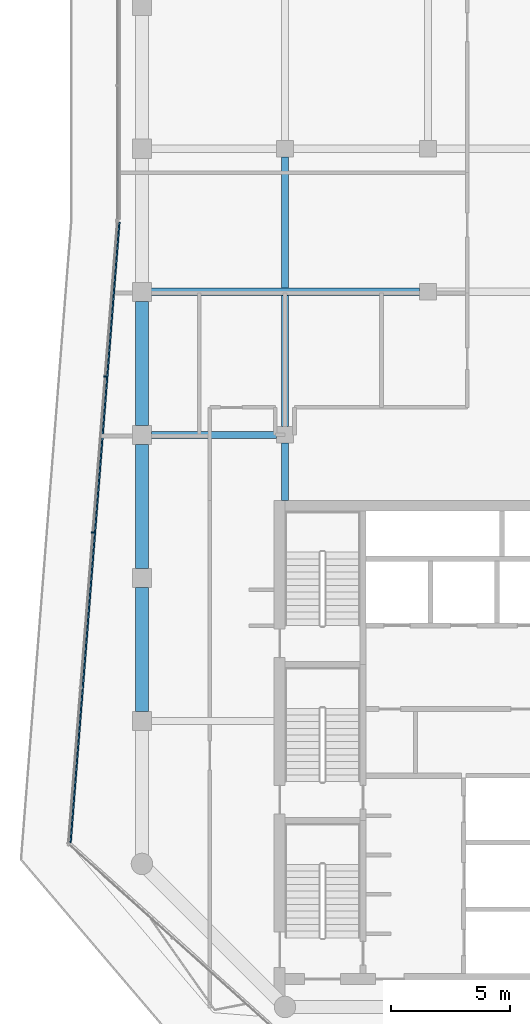
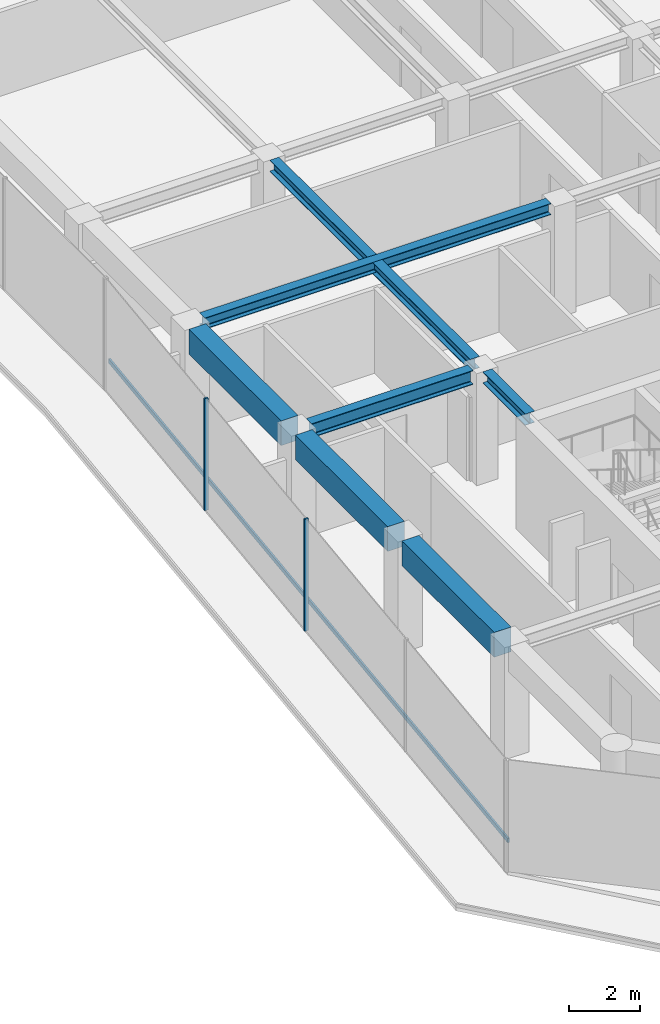
# One storey, part 4 of 23: 7 beams, 3 members, 1 element without a shape of its own.
"""IFC4 building model written with IfcOpenShell, lengths in metres."""

from ifc_helpers import new_model, si_unit, direction, frame, origin, origin_2d, place, context, subcontext, project, spatial, rectangle, i_section, extrude, material, layer, layer_set, material_profile, profile_set, type_object, element, aggregate, save


model = new_model("IFC4")

# Units and contexts
model_context = context("Model", 3, precision=1e-05, world=origin(), true_north=direction((0.0, 1.0)))
body_context = subcontext(model_context, "Body", "Model", "MODEL_VIEW")
ifc_project = project(units=[si_unit("LENGTHUNIT", "METRE"), si_unit("AREAUNIT", "SQUARE_METRE"), si_unit("VOLUMEUNIT", "CUBIC_METRE"), si_unit("PLANEANGLEUNIT", "RADIAN"), si_unit("MASSUNIT", "GRAM", prefix="KILO")], contexts=[model_context])

# Site, building, storey
site_placement = place(None, origin())
site = spatial("IfcSite", under=ifc_project, at=site_placement, CompositionType="ELEMENT")
building_placement = place(site_placement, origin())
building = spatial("IfcBuilding", under=site, at=building_placement, Name="Welwitschia Terrace Campus", CompositionType="ELEMENT")
storey_placement = place(building_placement, frame((0.0, 0.0, 247.39990234375)))
storey = spatial("IfcBuildingStorey", under=building, at=storey_placement, Name="L55", CompositionType="ELEMENT", Elevation=247.39990234375)

# Beams
ifc_material_1 = material(Name="Steel S355", Category="steel")
ifc_material_profile_1 = material_profile(ifc_material_1, i_section(OverallWidth=0.300048828125, OverallDepth=0.389892578125, WebThickness=0.010986328125, FlangeThickness=0.01904296875, FilletRadius=0.027099609375, at=origin_2d()))
ifc_profile_set_1 = profile_set([ifc_material_profile_1], Name="Steel S355")
beam_type_1 = type_object("IfcBeamType", Name="Interior girder HE 400 A", PredefinedType="BEAM", material=ifc_profile_set_1)
beam_1_placement = place(storey_placement, frame((0.390380859375, 34.0, 3.655029296875), z_axis=(1.0, 0.0, 0.0), x_axis=(0.0, 1.0, 0.0)))
element("IfcBeam", 1, at=beam_1_placement, inside=storey, type_object=beam_type_1, Name="Girder GB5", PredefinedType="BEAM", context=body_context, shape_type="SweptSolid", body=[
    extrude(i_section(OverallWidth=0.300048828125, OverallDepth=0.389892578125, WebThickness=0.010986328125, FlangeThickness=0.01904296875, FilletRadius=0.027099609375, at=origin_2d()), origin(), (0.0, 0.0, 1.0), 11.259033203125),
])
beam_2_placement = place(storey_placement, frame((6.0, 25.2509765625, 3.655029296875), z_axis=(0.0, 1.0, 0.0), x_axis=(-1.0, 0.0, 0.0)))
element("IfcBeam", 2, at=beam_2_placement, inside=storey, type_object=beam_type_1, Name="Girder GB5", PredefinedType="BEAM", context=body_context, shape_type="SweptSolid", body=[
    extrude(i_section(OverallWidth=0.300048828125, OverallDepth=0.389892578125, WebThickness=0.010986328125, FlangeThickness=0.01904296875, FilletRadius=0.027099609375, at=origin_2d()), origin(), (0.0, 0.0, 1.0), 2.3984375),
])
beam_3_placement = place(storey_placement, frame((6.0, 28.3505859375, 3.655029296875), z_axis=(0.0, 1.0, 0.0), x_axis=(-1.0, 0.0, 0.0)))
element("IfcBeam", 3, at=beam_3_placement, inside=storey, type_object=beam_type_1, Name="Girder GB5", PredefinedType="BEAM", context=body_context, shape_type="SweptSolid", body=[
    extrude(i_section(OverallWidth=0.300048828125, OverallDepth=0.389892578125, WebThickness=0.010986328125, FlangeThickness=0.01904296875, FilletRadius=0.027099609375, at=origin_2d()), origin(), (0.0, 0.0, 1.0), 11.298828125),
])

# Curtain wall, members
ifc_material_2 = material(Name="Bronze anodised aluminium", Category="aluminium")
ifc_layer = layer(ifc_material_2, 0.1201171875)
ifc_layer_set = layer_set([ifc_layer], Name="Bronze anodised aluminium")
curtain_wall_type = type_object("IfcCurtainWallType", Name="Curtain wall CW2 tower 6000", PredefinedType="NOTDEFINED", material=ifc_layer_set)
curtain_wall_placement = place(storey_placement, origin())
curtain_wall = element("IfcCurtainWall", 4, at=curtain_wall_placement, inside=storey, type_object=curtain_wall_type, Name="CW L55.1.0", PredefinedType="NOTDEFINED")
ifc_material_3 = material(Name="Bronze anodised aluminium", Category="aluminium")
ifc_material_profile_2 = material_profile(ifc_material_3, rectangle(XDim=0.1201171875, YDim=0.06005859375, at=origin_2d()))
ifc_profile_set_2 = profile_set([ifc_material_profile_2], Name="Bronze anodised aluminium")
member_type_1 = type_object("IfcMemberType", Name="Mullion 60x120", PredefinedType="MULLION", material=ifc_profile_set_2)
member_1_placement = place(storey_placement, frame((-1.54443359375, 30.44140625, 0.0), z_axis=(0.0, 0.0, 1.0), x_axis=(0.996917333733, -0.078459095728, 0.0)))
member_1 = element("IfcMember", 5, at=member_1_placement, type_object=member_type_1, Name="Mullion L55.1.0.1", PredefinedType="MULLION", context=body_context, shape_type="SweptSolid", body=[
    extrude(rectangle(XDim=0.1201171875, YDim=0.06005859375, at=origin_2d()), origin(), (0.0, 0.0, 1.0), 3.85009765625),
])
member_2_placement = place(storey_placement, frame((-2.058837890625, 23.9052734375, 0.0), z_axis=(0.0, 0.0, 1.0), x_axis=(0.996917333733, -0.078459095728, 0.0)))
member_2 = element("IfcMember", 6, at=member_2_placement, type_object=member_type_1, Name="Mullion L55.1.0.2", PredefinedType="MULLION", context=body_context, shape_type="SweptSolid", body=[
    extrude(rectangle(XDim=0.1201171875, YDim=0.06005859375, at=origin_2d()), origin(), (0.0, 0.0, 1.0), 3.85009765625),
])

# Beams
ifc_material_4 = material(Name="Steel S355", Category="steel")
ifc_material_profile_3 = material_profile(ifc_material_4, i_section(OverallWidth=0.300048828125, OverallDepth=0.489990234375, WebThickness=0.011962890625, FlangeThickness=0.02294921875, FilletRadius=0.027099609375, at=origin_2d()))
ifc_profile_set_3 = profile_set([ifc_material_profile_3], Name="Steel S355")
beam_type_2 = type_object("IfcBeamType", Name="Primary beam HE 500 A", PredefinedType="BEAM", material=ifc_profile_set_3)
beam_4_placement = place(storey_placement, frame((0.400390625, 28.0, 3.60498046875), z_axis=(1.0, 0.0, 0.0), x_axis=(0.0, 1.0, 0.0)))
element("IfcBeam", 7, at=beam_4_placement, inside=storey, type_object=beam_type_2, Name="Primary beam PB5", PredefinedType="BEAM", context=body_context, shape_type="SweptSolid", body=[
    extrude(i_section(OverallWidth=0.300048828125, OverallDepth=0.489990234375, WebThickness=0.011962890625, FlangeThickness=0.02294921875, FilletRadius=0.027099609375, at=origin_2d()), origin(), (0.0, 0.0, 1.0), 5.2490234375),
])
ifc_material_5 = material(Name="Concrete C50/60", Category="concrete")
ifc_material_profile_4 = material_profile(ifc_material_5, rectangle(XDim=0.550048828125, YDim=0.85009765625, at=origin_2d()))
ifc_profile_set_4 = profile_set([ifc_material_profile_4], Name="Concrete C50/60")
beam_type_3 = type_object("IfcBeamType", Name="Ring spandrel 550x850", PredefinedType="SPANDREL", material=ifc_profile_set_4)
for number, where, z_axis, x_axis, name in (
    (8, (0.0, 33.599609375, 3.425048828125), (0.0, -1.0, 0.0), (1.0, 0.0, 0.0), "Spandrel SP3"),
    (9, (0.0, 27.599609375, 3.425048828125), (0.0, -1.0, 0.0), (1.0, 0.0, 0.0), "Spandrel SP3"),
    (10, (0.0, 21.599609375, 3.425048828125), (0.0, -1.0, 0.0), (1.0, 0.0, 0.0), "Spandrel SP3"),
):
    element("IfcBeam", number, at=place(storey_placement, frame(where, z_axis=z_axis, x_axis=x_axis)), inside=storey, type_object=beam_type_3, Name=name, PredefinedType="SPANDREL", context=body_context, shape_type="SweptSolid", body=[
        extrude(rectangle(XDim=0.550048828125, YDim=0.85009765625, at=origin_2d()), origin(), (0.0, 0.0, 1.0), 5.19921875),
    ])

# Member
ifc_material_6 = material(Name="Bronze anodised aluminium", Category="aluminium")
ifc_material_profile_5 = material_profile(ifc_material_6, rectangle(XDim=0.06005859375, YDim=0.14990234375, at=origin_2d()))
ifc_profile_set_5 = profile_set([ifc_material_profile_5], Name="Bronze anodised aluminium")
member_type_2 = type_object("IfcMemberType", Name="Transom 60x150", PredefinedType="USERDEFINED", material=ifc_profile_set_5)
member_3_placement = place(storey_placement, frame((-0.945068359375, 36.91064453125, 1.0), z_axis=(-0.078455695354, -0.996917601343, 0.0), x_axis=(0.996917601343, -0.078455695354, 0.0)))
member_3 = element("IfcMember", 11, at=member_3_placement, type_object=member_type_2, Name="Transom L55.1.0", ObjectType="TRANSOM", PredefinedType="USERDEFINED", context=body_context, shape_type="SweptSolid", body=[
    extrude(rectangle(XDim=0.06005859375, YDim=0.14990234375, at=origin_2d()), origin(), (0.0, 0.0, 1.0), 26.105224609375),
])

aggregate(curtain_wall, [member_1, member_2, member_3])

save(model, "model.ifc")
